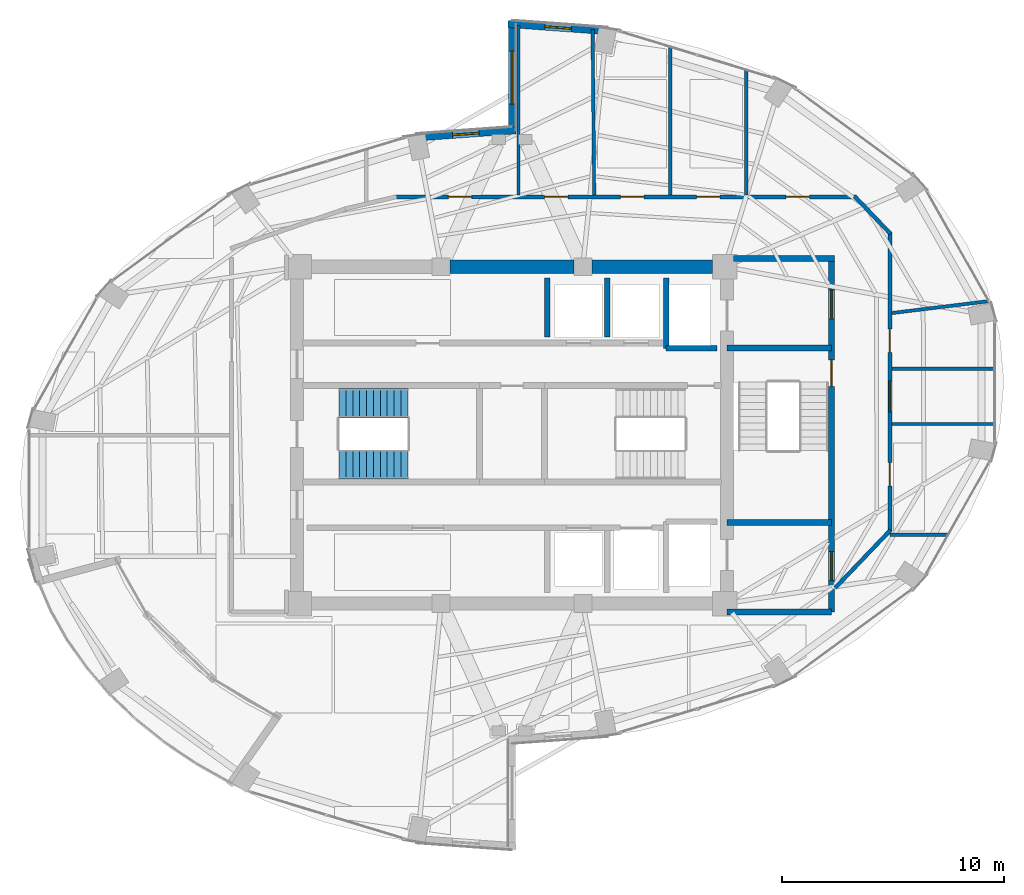
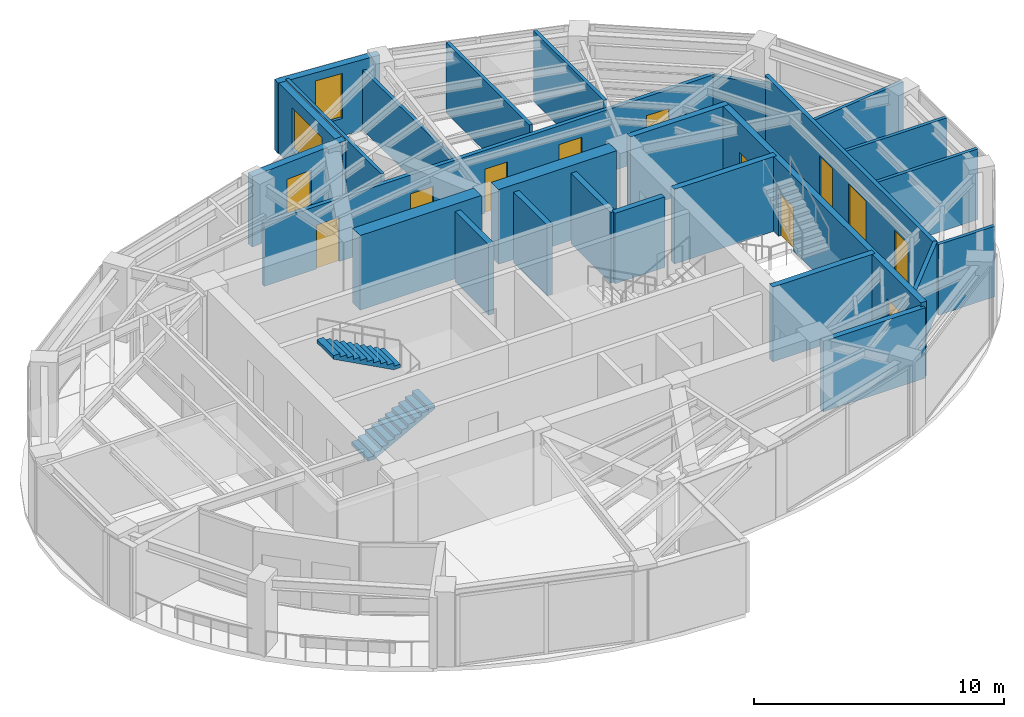
# One storey, part 18 of 21: 26 walls, 11 doors, 3 windows, 2 stair flights, 14 openings, 1 element without a shape of its own.
"""IFC4 building model written with IfcOpenShell, lengths in metres."""

from ifc_helpers import new_model, si_unit, direction, frame, frame_2d, origin, place, context, subcontext, project, spatial, polyline, rectangle, outline, extrude, material, layer, layer_set, type_object, element, fill, aggregate, save


model = new_model("IFC4")

# Units and contexts
model_context = context("Model", 3, precision=1e-05, world=origin(), true_north=direction((0.0, 1.0)))
body_context = subcontext(model_context, "Body", "Model", "MODEL_VIEW")
ifc_project = project(units=[si_unit("LENGTHUNIT", "METRE"), si_unit("AREAUNIT", "SQUARE_METRE"), si_unit("VOLUMEUNIT", "CUBIC_METRE"), si_unit("PLANEANGLEUNIT", "RADIAN"), si_unit("MASSUNIT", "GRAM", prefix="KILO")], contexts=[model_context])

# Site, building, storey
site_placement = place(None, origin())
site = spatial("IfcSite", under=ifc_project, at=site_placement, CompositionType="ELEMENT")
building_placement = place(site_placement, origin())
building = spatial("IfcBuilding", under=site, at=building_placement, Name="Lazwardi Medical Tower", CompositionType="ELEMENT")
storey_placement = place(building_placement, frame((0.0, 0.0, 216.719970703125)))
storey = spatial("IfcBuildingStorey", under=building, at=storey_placement, Name="L56", CompositionType="ELEMENT", Elevation=216.719970703125)

# Wall, openings, doors
ifc_material_1 = material(Name="Fire-rated gypsum board on steel stud", Category="steel")
ifc_layer_1 = layer(ifc_material_1, 0.179931640625)
ifc_layer_set_1 = layer_set([ifc_layer_1], Name="Fire-rated gypsum board on steel stud")
wall_type_1 = type_object("IfcWallType", Name="WL-COR-180", PredefinedType="PARTITIONING", material=ifc_layer_set_1)
wall_1_placement = place(storey_placement, frame((30.709716796875, 38.75, 0.0), z_axis=(0.0, 0.0, 1.0), x_axis=(1.0, 0.0, 0.0)))
wall_1 = element("IfcWall", 1, at=wall_1_placement, inside=storey, type_object=wall_type_1, Name="L56 Corridor partition 3", PredefinedType="PARTITIONING", context=body_context, shape_type="SweptSolid", body=[
    extrude(rectangle(XDim=20.8154296875, YDim=0.179931640625, at=frame_2d((10.40771484375, 0.0))), origin(), (0.0, 0.0, 1.0), 3.072998046875),
])
opening_1_placement = place(wall_1_placement, frame((17.65380859375, 0.0, 0.0)))
opening_1 = element("IfcOpeningElement", 2, at=opening_1_placement, cuts=wall_1, Name="Opening D-L56-012", PredefinedType="OPENING", context=body_context, shape_type="SweptSolid", body=[
    extrude(rectangle(XDim=1.050048828125, YDim=2.14990234375, at=frame_2d((0.52490234375, 1.074951171875))), frame((0.0, 0.099853515625, 0.0), z_axis=(0.0, -1.0, 0.0), x_axis=(1.0, 0.0, 0.0)), (0.0, 0.0, 1.0), 0.199951171875),
])
opening_2_placement = place(wall_1_placement, frame((13.6201171875, 0.0, 0.0)))
opening_2 = element("IfcOpeningElement", 3, at=opening_2_placement, cuts=wall_1, Name="Opening D-L56-013", PredefinedType="OPENING", context=body_context, shape_type="SweptSolid", body=[
    extrude(rectangle(XDim=1.050048828125, YDim=2.14990234375, at=frame_2d((0.52490234375, 1.074951171875))), frame((0.0, 0.099853515625, 0.0), z_axis=(0.0, -1.0, 0.0), x_axis=(1.0, 0.0, 0.0)), (0.0, 0.0, 1.0), 0.199951171875),
])
opening_3_placement = place(wall_1_placement, frame((10.189697265625, 0.0, 0.0)))
opening_3 = element("IfcOpeningElement", 4, at=opening_3_placement, cuts=wall_1, Name="Opening D-L56-014", PredefinedType="OPENING", context=body_context, shape_type="SweptSolid", body=[
    extrude(rectangle(XDim=1.050048828125, YDim=2.14990234375, at=frame_2d((0.52490234375, 1.074951171875))), frame((0.0, 0.099853515625, 0.0), z_axis=(0.0, -1.0, 0.0), x_axis=(1.0, 0.0, 0.0)), (0.0, 0.0, 1.0), 0.199951171875),
])
opening_4_placement = place(wall_1_placement, frame((6.764892578125, 0.0, 0.0)))
opening_4 = element("IfcOpeningElement", 5, at=opening_4_placement, cuts=wall_1, Name="Opening D-L56-015", PredefinedType="OPENING", context=body_context, shape_type="SweptSolid", body=[
    extrude(rectangle(XDim=1.050048828125, YDim=2.14990234375, at=frame_2d((0.52490234375, 1.074951171875))), frame((0.0, 0.099853515625, 0.0), z_axis=(0.0, -1.0, 0.0), x_axis=(1.0, 0.0, 0.0)), (0.0, 0.0, 1.0), 0.199951171875),
])
opening_5_placement = place(wall_1_placement, frame((2.424072265625, 0.0, 0.0)))
opening_5 = element("IfcOpeningElement", 6, at=opening_5_placement, cuts=wall_1, Name="Opening D-L56-016", PredefinedType="OPENING", context=body_context, shape_type="SweptSolid", body=[
    extrude(rectangle(XDim=1.050048828125, YDim=2.14990234375, at=frame_2d((0.52490234375, 1.074951171875))), frame((0.0, 0.099853515625, 0.0), z_axis=(0.0, -1.0, 0.0), x_axis=(1.0, 0.0, 0.0)), (0.0, 0.0, 1.0), 0.199951171875),
])
ifc_material_2 = material(Name="Anti-microbial laminate hospital leaf")
door_type_1 = type_object("IfcDoorType", Name="DR-CLN-1050", OperationType="NOTDEFINED", PredefinedType="DOOR", material=ifc_material_2)
door_1_placement = place(opening_1_placement, origin())
door_1 = element("IfcDoor", 7, at=door_1_placement, inside=storey, type_object=door_type_1, Name="L56 Outpatient Consultation Suite Door 05", OperationType="SINGLE_SWING_RIGHT", OverallHeight=2.14990234375, OverallWidth=1.050048828125, PredefinedType="DOOR", context=body_context, shape_type="SweptSolid", body=[
    extrude(rectangle(XDim=1.050048828125, YDim=2.14990234375, at=frame_2d((0.52490234375, 1.074951171875))), frame((0.0, 0.02490234375, 0.0), z_axis=(0.0, -1.0, 0.0), x_axis=(1.0, 0.0, 0.0)), (0.0, 0.0, 1.0), 0.050048828125),
])
fill(opening_1, door_1)
door_2_placement = place(opening_2_placement, origin())
door_2 = element("IfcDoor", 8, at=door_2_placement, inside=storey, type_object=door_type_1, Name="L56 Outpatient Consultation Suite Door 06", OperationType="SINGLE_SWING_LEFT", OverallHeight=2.14990234375, OverallWidth=1.050048828125, PredefinedType="DOOR", context=body_context, shape_type="SweptSolid", body=[
    extrude(rectangle(XDim=1.050048828125, YDim=2.14990234375, at=frame_2d((0.52490234375, 1.074951171875))), frame((0.0, 0.02490234375, 0.0), z_axis=(0.0, -1.0, 0.0), x_axis=(1.0, 0.0, 0.0)), (0.0, 0.0, 1.0), 0.050048828125),
])
fill(opening_2, door_2)
door_3_placement = place(opening_3_placement, origin())
door_3 = element("IfcDoor", 9, at=door_3_placement, inside=storey, type_object=door_type_1, Name="L56 Outpatient Consultation Suite Door 07", OperationType="SINGLE_SWING_RIGHT", OverallHeight=2.14990234375, OverallWidth=1.050048828125, PredefinedType="DOOR", context=body_context, shape_type="SweptSolid", body=[
    extrude(rectangle(XDim=1.050048828125, YDim=2.14990234375, at=frame_2d((0.52490234375, 1.074951171875))), frame((0.0, 0.02490234375, 0.0), z_axis=(0.0, -1.0, 0.0), x_axis=(1.0, 0.0, 0.0)), (0.0, 0.0, 1.0), 0.050048828125),
])
fill(opening_3, door_3)
door_4_placement = place(opening_4_placement, origin())
door_4 = element("IfcDoor", 10, at=door_4_placement, inside=storey, type_object=door_type_1, Name="L56 Outpatient Consultation Suite Door 08", OperationType="SINGLE_SWING_LEFT", OverallHeight=2.14990234375, OverallWidth=1.050048828125, PredefinedType="DOOR", context=body_context, shape_type="SweptSolid", body=[
    extrude(rectangle(XDim=1.050048828125, YDim=2.14990234375, at=frame_2d((0.52490234375, 1.074951171875))), frame((0.0, 0.02490234375, 0.0), z_axis=(0.0, -1.0, 0.0), x_axis=(1.0, 0.0, 0.0)), (0.0, 0.0, 1.0), 0.050048828125),
])
fill(opening_4, door_4)
door_5_placement = place(opening_5_placement, origin())
door_5 = element("IfcDoor", 11, at=door_5_placement, inside=storey, type_object=door_type_1, Name="L56 Outpatient Consultation Suite Door 09", OperationType="SINGLE_SWING_RIGHT", OverallHeight=2.14990234375, OverallWidth=1.050048828125, PredefinedType="DOOR", context=body_context, shape_type="SweptSolid", body=[
    extrude(rectangle(XDim=1.050048828125, YDim=2.14990234375, at=frame_2d((0.52490234375, 1.074951171875))), frame((0.0, 0.02490234375, 0.0), z_axis=(0.0, -1.0, 0.0), x_axis=(1.0, 0.0, 0.0)), (0.0, 0.0, 1.0), 0.050048828125),
])
fill(opening_5, door_5)

# Wall
wall_2_placement = place(storey_placement, frame((51.45751953125, 38.77880859375, 0.0), z_axis=(0.0, 0.0, 1.0), x_axis=(0.691359830363, -0.722510612352, 0.0)))
element("IfcWall", 12, at=wall_2_placement, inside=storey, type_object=wall_type_1, Name="L56 Corridor partition 4", PredefinedType="PARTITIONING", context=body_context, shape_type="SweptSolid", body=[
    extrude(rectangle(XDim=2.34326171875, YDim=0.179931640625, at=frame_2d((1.171630859375, 0.0))), origin(), (0.0, 0.0, 1.0), 3.032958984375),
])

# Wall, openings, doors
wall_3_placement = place(storey_placement, frame((53.050048828125, 37.154541015625, 0.0), z_axis=(0.0, 0.0, 1.0), x_axis=(0.0, -1.0, 0.0)))
wall_3 = element("IfcWall", 13, at=wall_3_placement, inside=storey, type_object=wall_type_1, Name="L56 Corridor partition 5", PredefinedType="PARTITIONING", context=body_context, shape_type="SweptSolid", body=[
    extrude(rectangle(XDim=13.509033203125, YDim=0.179931640625, at=frame_2d((6.75439453125, 0.0))), origin(), (0.0, 0.0, 1.0), 3.447998046875),
])
opening_6_placement = place(wall_3_placement, frame((10.397705078125, 0.0, 0.0)))
opening_6 = element("IfcOpeningElement", 14, at=opening_6_placement, cuts=wall_3, Name="Opening D-L56-009", PredefinedType="OPENING", context=body_context, shape_type="SweptSolid", body=[
    extrude(rectangle(XDim=1.050048828125, YDim=2.14990234375, at=frame_2d((0.52490234375, 1.074951171875))), frame((0.0, 0.099853515625, 0.0), z_axis=(0.0, -1.0, 0.0), x_axis=(1.0, 0.0, 0.0)), (0.0, 0.0, 1.0), 0.199951171875),
])
opening_7_placement = place(wall_3_placement, frame((6.70458984375, 0.0, 0.0)))
opening_7 = element("IfcOpeningElement", 15, at=opening_7_placement, cuts=wall_3, Name="Opening D-L56-010", PredefinedType="OPENING", context=body_context, shape_type="SweptSolid", body=[
    extrude(rectangle(XDim=1.39990234375, YDim=2.199951171875, at=frame_2d((0.699951171875, 1.10009765625))), frame((0.0, 0.099853515625, 0.0), z_axis=(0.0, -1.0, 0.0), x_axis=(1.0, 0.0, 0.0)), (0.0, 0.0, 1.0), 0.199951171875),
])
opening_8_placement = place(wall_3_placement, frame((4.374755859375, 0.0, 0.0)))
opening_8 = element("IfcOpeningElement", 16, at=opening_8_placement, cuts=wall_3, Name="Opening D-L56-011", PredefinedType="OPENING", context=body_context, shape_type="SweptSolid", body=[
    extrude(rectangle(XDim=1.050048828125, YDim=2.14990234375, at=frame_2d((0.52490234375, 1.074951171875))), frame((0.0, 0.099853515625, 0.0), z_axis=(0.0, -1.0, 0.0), x_axis=(1.0, 0.0, 0.0)), (0.0, 0.0, 1.0), 0.199951171875),
])
door_type_2 = type_object("IfcDoorType", Name="DR-BED-1400", OperationType="NOTDEFINED", PredefinedType="DOOR", material=ifc_material_2)
door_6_placement = place(opening_7_placement, origin())
door_6 = element("IfcDoor", 17, at=door_6_placement, inside=storey, type_object=door_type_2, Name="L56 Rehabilitation Gymnasium Door 03", OperationType="SINGLE_SWING_RIGHT", OverallHeight=2.199951171875, OverallWidth=1.39990234375, PredefinedType="DOOR", context=body_context, shape_type="SweptSolid", body=[
    extrude(rectangle(XDim=1.39990234375, YDim=2.199951171875, at=frame_2d((0.699951171875, 1.10009765625))), frame((0.0, 0.02490234375, 0.0), z_axis=(0.0, -1.0, 0.0), x_axis=(1.0, 0.0, 0.0)), (0.0, 0.0, 1.0), 0.050048828125),
])
fill(opening_7, door_6)
door_7_placement = place(opening_6_placement, origin())
door_7 = element("IfcDoor", 18, at=door_7_placement, inside=storey, type_object=door_type_1, Name="L56 Ward Dietetic Pantry Door 02", OperationType="SINGLE_SWING_LEFT", OverallHeight=2.14990234375, OverallWidth=1.050048828125, PredefinedType="DOOR", context=body_context, shape_type="SweptSolid", body=[
    extrude(rectangle(XDim=1.050048828125, YDim=2.14990234375, at=frame_2d((0.52490234375, 1.074951171875))), frame((0.0, 0.02490234375, 0.0), z_axis=(0.0, -1.0, 0.0), x_axis=(1.0, 0.0, 0.0)), (0.0, 0.0, 1.0), 0.050048828125),
])
fill(opening_6, door_7)
door_8_placement = place(opening_8_placement, origin())
door_8 = element("IfcDoor", 19, at=door_8_placement, inside=storey, type_object=door_type_1, Name="L56 Clinical Specialist Office Door 04", OperationType="SINGLE_SWING_LEFT", OverallHeight=2.14990234375, OverallWidth=1.050048828125, PredefinedType="DOOR", context=body_context, shape_type="SweptSolid", body=[
    extrude(rectangle(XDim=1.050048828125, YDim=2.14990234375, at=frame_2d((0.52490234375, 1.074951171875))), frame((0.0, 0.02490234375, 0.0), z_axis=(0.0, -1.0, 0.0), x_axis=(1.0, 0.0, 0.0)), (0.0, 0.0, 1.0), 0.050048828125),
])
fill(opening_8, door_8)

# Walls
wall_4_placement = place(storey_placement, frame((53.07763671875, 23.71435546875, 0.0), z_axis=(0.0, 0.0, 1.0), x_axis=(-0.691353379446, -0.722516785085, 0.0)))
element("IfcWall", 20, at=wall_4_placement, inside=storey, type_object=wall_type_1, Name="L56 Corridor partition 6", PredefinedType="PARTITIONING", context=body_context, shape_type="SweptSolid", body=[
    extrude(rectangle(XDim=3.603759765625, YDim=0.179931640625, at=frame_2d((1.8017578125, 0.0))), origin(), (0.0, 0.0, 1.0), 3.447998046875),
])
ifc_material_3 = material(Name="Concrete C60/75", Category="concrete")
ifc_layer_2 = layer(ifc_material_3, 0.60009765625)
ifc_layer_set_2 = layer_set([ifc_layer_2], Name="Concrete C60/75")
wall_type_2 = type_object("IfcWallType", Name="WL-CORE-600", PredefinedType="SHEAR", material=ifc_layer_set_2)
wall_5_placement = place(storey_placement, frame((33.199951171875, 35.60009765625, 0.0), z_axis=(0.0, 0.0, 1.0), x_axis=(1.0, 0.0, 0.0)))
element("IfcWall", 21, at=wall_5_placement, inside=storey, type_object=wall_type_2, Name="Core wall CW-S3 N2 L56", PredefinedType="SHEAR", context=body_context, shape_type="SweptSolid", body=[
    extrude(rectangle(XDim=5.60009765625, YDim=0.60009765625, at=frame_2d((2.800048828125, 0.0))), origin(), (0.0, 0.0, 1.0), 3.64794921875),
])
wall_6_placement = place(storey_placement, frame((39.60009765625, 35.60009765625, 0.0), z_axis=(0.0, 0.0, 1.0), x_axis=(1.0, 0.0, 0.0)))
element("IfcWall", 22, at=wall_6_placement, inside=storey, type_object=wall_type_2, Name="Core wall CW-S3 N3 L56", PredefinedType="SHEAR", context=body_context, shape_type="SweptSolid", body=[
    extrude(rectangle(XDim=5.449951171875, YDim=0.60009765625, at=frame_2d((2.72509765625, 0.0))), origin(), (0.0, 0.0, 1.0), 3.64794921875),
])

# Wall, opening, window
ifc_material_4 = material(Name="Precast concrete C45/55", Category="concrete")
ifc_layer_3 = layer(ifc_material_4, 0.320068359375)
ifc_layer_set_3 = layer_set([ifc_layer_3], Name="Precast concrete C45/55")
wall_type_3 = type_object("IfcWallType", Name="WL-IWAN-320", PredefinedType="SOLIDWALL", material=ifc_layer_set_3)
wall_7_placement = place(storey_placement, frame((40.349609375, 46.226318359375, 0.0), z_axis=(0.0, 0.0, 1.0), x_axis=(-0.997409061056, 0.071938619141, 0.0)))
wall_7 = element("IfcWall", 23, at=wall_7_placement, inside=storey, type_object=wall_type_3, Name="L56 Iwan Portal Return Wall NE_ret", PredefinedType="SOLIDWALL", context=body_context, shape_type="SweptSolid", body=[
    extrude(rectangle(XDim=4.540771484375, YDim=0.320068359375, at=frame_2d((2.2705078125, 0.0))), origin(), (0.0, 0.0, 1.0), 3.447998046875),
])
opening_9_placement = place(wall_7_placement, frame((1.67041015625, 0.0, 0.85009765625)))
opening_9 = element("IfcOpeningElement", 24, at=opening_9_placement, cuts=wall_7, Name="Opening WN-01", PredefinedType="OPENING", context=body_context, shape_type="SweptSolid", body=[
    extrude(rectangle(XDim=1.199951171875, YDim=2.199951171875, at=frame_2d((0.60009765625, 1.10009765625))), frame((0.0, 0.169921875, 0.0), z_axis=(0.0, -1.0, 0.0), x_axis=(1.0, 0.0, 0.0)), (0.0, 0.0, 1.0), 0.340087890625),
])
ifc_material_5 = material(Name="Low-e bronze solar control double glazing", Category="glass")
window_type_1 = type_object("IfcWindowType", Name="WIN-IW-1200", PartitioningType="SINGLE_PANEL", PredefinedType="WINDOW", material=ifc_material_5)
window_1_placement = place(opening_9_placement, origin())
window_1 = element("IfcWindow", 25, at=window_1_placement, inside=storey, type_object=window_type_1, Name="L56 Iwan Slot Window NE_ret", OverallHeight=2.199951171875, OverallWidth=1.199951171875, PartitioningType="SINGLE_PANEL", PredefinedType="WINDOW", context=body_context, shape_type="SweptSolid", body=[
    extrude(rectangle(XDim=1.199951171875, YDim=2.199951171875, at=frame_2d((0.60009765625, 1.10009765625))), frame((0.0, 0.030029296875, 0.0), z_axis=(0.0, -1.0, 0.0), x_axis=(1.0, 0.0, 0.0)), (0.0, 0.0, 1.0), 0.06005859375),
])
fill(opening_9, window_1)

wall_8_placement = place(storey_placement, frame((36.17919921875, 41.7529296875, 0.0), z_axis=(0.0, 0.0, 1.0), x_axis=(-0.997408782787, -0.071942477163, 0.0)))
wall_8 = element("IfcWall", 26, at=wall_8_placement, inside=storey, type_object=wall_type_3, Name="L56 Iwan Portal Return Wall NW_ret", PredefinedType="SOLIDWALL", context=body_context, shape_type="SweptSolid", body=[
    extrude(rectangle(XDim=4.54052734375, YDim=0.320068359375, at=frame_2d((2.270263671875, 0.0))), origin(), (0.0, 0.0, 1.0), 3.447998046875),
])
opening_10_placement = place(wall_8_placement, frame((1.67041015625, 0.0, 0.85009765625)))
opening_10 = element("IfcOpeningElement", 27, at=opening_10_placement, cuts=wall_8, Name="Opening WN-04", PredefinedType="OPENING", context=body_context, shape_type="SweptSolid", body=[
    extrude(rectangle(XDim=1.199951171875, YDim=1.800048828125, at=frame_2d((0.60009765625, 0.89990234375))), frame((0.0, 0.169921875, 0.0), z_axis=(0.0, -1.0, 0.0), x_axis=(1.0, 0.0, 0.0)), (0.0, 0.0, 1.0), 0.340087890625),
])
window_type_2 = type_object("IfcWindowType", Name="WIN-DRUM-1200", PartitioningType="SINGLE_PANEL", PredefinedType="WINDOW", material=ifc_material_5)
window_2_placement = place(opening_10_placement, origin())
window_2 = element("IfcWindow", 28, at=window_2_placement, inside=storey, type_object=window_type_2, Name="L56 Iwan Slot Window NW_ret", OverallHeight=1.800048828125, OverallWidth=1.199951171875, PartitioningType="SINGLE_PANEL", PredefinedType="WINDOW", context=body_context, shape_type="SweptSolid", body=[
    extrude(rectangle(XDim=1.199951171875, YDim=1.800048828125, at=frame_2d((0.60009765625, 0.89990234375))), frame((0.0, 0.030029296875, 0.0), z_axis=(0.0, -1.0, 0.0), x_axis=(1.0, 0.0, 0.0)), (0.0, 0.0, 1.0), 0.06005859375),
])
fill(opening_10, window_2)

wall_9_placement = place(storey_placement, frame((36.0, 46.699951171875, 0.0), z_axis=(0.0, 0.0, 1.0), x_axis=(0.0, -1.0, 0.0)))
wall_9 = element("IfcWall", 29, at=wall_9_placement, inside=storey, type_object=wall_type_3, Name="L56 Turquoise Tilework Iwan Seam Wall N_seam", PredefinedType="SOLIDWALL", context=body_context, shape_type="SweptSolid", body=[
    extrude(rectangle(XDim=5.119873046875, YDim=0.320068359375, at=frame_2d((2.56005859375, 0.0))), origin(), (0.0, 0.0, 1.0), 3.447998046875),
])
opening_11_placement = place(wall_9_placement, frame((1.360107421875, 0.0, 0.840087890625)))
opening_11 = element("IfcOpeningElement", 30, at=opening_11_placement, cuts=wall_9, Name="Opening WN-02", PredefinedType="OPENING", context=body_context, shape_type="SweptSolid", body=[
    extrude(rectangle(XDim=2.39990234375, YDim=2.0400390625, at=frame_2d((1.199951171875, 1.02001953125))), frame((0.0, 0.169921875, 0.0), z_axis=(0.0, -1.0, 0.0), x_axis=(1.0, 0.0, 0.0)), (0.0, 0.0, 1.0), 0.340087890625),
])
window_type_3 = type_object("IfcWindowType", Name="WIN-IW-2400", PartitioningType="SINGLE_PANEL", PredefinedType="WINDOW", material=ifc_material_5)
window_3_placement = place(opening_11_placement, origin())
window_3 = element("IfcWindow", 31, at=window_3_placement, inside=storey, type_object=window_type_3, Name="L56 Iwan Seam Window N_seam", OverallHeight=2.0400390625, OverallWidth=2.39990234375, PartitioningType="SINGLE_PANEL", PredefinedType="WINDOW", context=body_context, shape_type="SweptSolid", body=[
    extrude(rectangle(XDim=2.39990234375, YDim=2.0400390625, at=frame_2d((1.199951171875, 1.02001953125))), frame((0.0, 0.030029296875, 0.0), z_axis=(0.0, -1.0, 0.0), x_axis=(1.0, 0.0, 0.0)), (0.0, 0.0, 1.0), 0.06005859375),
])
fill(opening_11, window_3)

# Walls
ifc_material_6 = material(Name="Autoclaved aerated concrete blockwork", Category="masonry")
ifc_layer_4 = layer(ifc_material_6, 0.25)
ifc_layer_set_4 = layer_set([ifc_layer_4], Name="Autoclaved aerated concrete blockwork")
wall_type_4 = type_object("IfcWallType", Name="WL-SHAFT-250", PredefinedType="SOLIDWALL", material=ifc_layer_set_4)
wall_10_placement = place(storey_placement, frame((42.949951171875, 31.919921875, 0.0), z_axis=(0.0, 0.0, 1.0), x_axis=(0.0, 1.0, 0.0)))
element("IfcWall", 32, at=wall_10_placement, inside=storey, type_object=wall_type_4, Name="L56 FL-01 West shaft wall", PredefinedType="SOLIDWALL", context=body_context, shape_type="SweptSolid", body=[
    extrude(rectangle(XDim=3.18017578125, YDim=0.25, at=frame_2d((1.590087890625, 0.0))), origin(), (0.0, 0.0, 1.0), 3.447998046875),
])
wall_11_placement = place(storey_placement, frame((42.949951171875, 31.919921875, 0.0), z_axis=(0.0, 0.0, 1.0), x_axis=(1.0, 0.0, 0.0)))
element("IfcWall", 33, at=wall_11_placement, inside=storey, type_object=wall_type_4, Name="L56 FL-01 South shaft wall", PredefinedType="SOLIDWALL", context=body_context, shape_type="SweptSolid", body=[
    extrude(rectangle(XDim=2.300048828125, YDim=0.25, at=frame_2d((1.14990234375, 0.0))), origin(), (0.0, 0.0, 1.0), 3.447998046875),
])
for number, where, z_axis, x_axis, name in (
    (34, (37.60009765625, 32.419921875, 0.0), (0.0, 0.0, 1.0), (0.0, 1.0, 0.0), "L56 North hoistway divider"),
    (35, (40.300048828125, 32.419921875, 0.0), (0.0, 0.0, 1.0), (0.0, 1.0, 0.0), "L56 North hoistway divider"),
):
    element("IfcWall", number, at=place(storey_placement, frame(where, z_axis=z_axis, x_axis=x_axis)), inside=storey, type_object=wall_type_4, Name=name, PredefinedType="SOLIDWALL", context=body_context, shape_type="SweptSolid", body=[
        extrude(rectangle(XDim=2.68017578125, YDim=0.25, at=frame_2d((1.340087890625, 0.0))), origin(), (0.0, 0.0, 1.0), 3.447998046875),
    ])
wall_12_placement = place(storey_placement, frame((45.699951171875, 20.02001953125, 0.0), z_axis=(0.0, 0.0, 1.0), x_axis=(1.0, 0.0, 0.0)))
element("IfcWall", 36, at=wall_12_placement, inside=storey, type_object=wall_type_4, Name="L56 FFL-S South wall", PredefinedType="SOLIDWALL", context=body_context, shape_type="SweptSolid", body=[
    extrude(rectangle(XDim=4.715087890625, YDim=0.25, at=frame_2d((2.357421875, 0.0))), origin(), (0.0, 0.0, 1.0), 3.447998046875),
])

# Wall, openings, doors
ifc_material_7 = material(Name="Concrete C50/60", Category="concrete")
ifc_layer_5 = layer(ifc_material_7, 0.27001953125)
ifc_layer_set_5 = layer_set([ifc_layer_5], Name="Concrete C50/60")
wall_type_5 = type_object("IfcWallType", Name="WL-STR-250", PredefinedType="SHEAR", material=ifc_layer_set_5)
wall_13_placement = place(storey_placement, frame((50.4150390625, 35.844970703125, 0.0), z_axis=(0.0, 0.0, 1.0), x_axis=(0.0, -1.0, 0.0)))
wall_13 = element("IfcWall", 37, at=wall_13_placement, inside=storey, type_object=wall_type_5, Name="L56 East ST3 & FFL shear wall SW-S1", PredefinedType="SHEAR", context=body_context, shape_type="SweptSolid", body=[
    extrude(rectangle(XDim=15.824951171875, YDim=0.27001953125, at=frame_2d((7.91259765625, 0.0))), origin(), (0.0, 0.0, 1.0), 3.64794921875),
])
opening_12_placement = place(wall_13_placement, frame((4.445068359375, 0.0, 0.0)))
opening_12 = element("IfcOpeningElement", 38, at=opening_12_placement, cuts=wall_13, Name="Opening D-L56-020", PredefinedType="OPENING", context=body_context, shape_type="SweptSolid", body=[
    extrude(rectangle(XDim=1.199951171875, YDim=2.14990234375, at=frame_2d((0.60009765625, 1.074951171875))), frame((0.0, 0.14501953125, 0.0), z_axis=(0.0, -1.0, 0.0), x_axis=(1.0, 0.0, 0.0)), (0.0, 0.0, 1.0), 0.2900390625),
])
opening_13_placement = place(wall_13_placement, frame((1.294921875, 0.0, 0.0)))
opening_13 = element("IfcOpeningElement", 39, at=opening_13_placement, cuts=wall_13, Name="Opening D-L56-004", PredefinedType="OPENING", context=body_context, shape_type="SweptSolid", body=[
    extrude(rectangle(XDim=1.300048828125, YDim=2.199951171875, at=frame_2d((0.64990234375, 1.10009765625))), frame((0.0, 0.14501953125, 0.0), z_axis=(0.0, -1.0, 0.0), x_axis=(1.0, 0.0, 0.0)), (0.0, 0.0, 1.0), 0.2900390625),
])
opening_14_placement = place(wall_13_placement, frame((13.094970703125, 0.0, 0.0)))
opening_14 = element("IfcOpeningElement", 40, at=opening_14_placement, cuts=wall_13, Name="Opening D-L56-005", PredefinedType="OPENING", context=body_context, shape_type="SweptSolid", body=[
    extrude(rectangle(XDim=1.300048828125, YDim=2.199951171875, at=frame_2d((0.64990234375, 1.10009765625))), frame((0.0, 0.14501953125, 0.0), z_axis=(0.0, -1.0, 0.0), x_axis=(1.0, 0.0, 0.0)), (0.0, 0.0, 1.0), 0.2900390625),
])
ifc_material_8 = material(Name="Fire-rated steel leaf and frame", Category="steel")
door_type_3 = type_object("IfcDoorType", Name="DR-FFL-1300", OperationType="NOTDEFINED", PredefinedType="DOOR", material=ifc_material_8)
door_9_placement = place(opening_13_placement, origin())
door_9 = element("IfcDoor", 41, at=door_9_placement, inside=storey, type_object=door_type_3, Name="L56 Fire-Fighting Lobby North Door", OperationType="SINGLE_SWING_RIGHT", OverallHeight=2.199951171875, OverallWidth=1.300048828125, PredefinedType="DOOR", context=body_context, shape_type="SweptSolid", body=[
    extrude(rectangle(XDim=1.300048828125, YDim=2.199951171875, at=frame_2d((0.64990234375, 1.10009765625))), frame((0.0, 0.02490234375, 0.0), z_axis=(0.0, -1.0, 0.0), x_axis=(1.0, 0.0, 0.0)), (0.0, 0.0, 1.0), 0.050048828125),
])
fill(opening_13, door_9)
door_10_placement = place(opening_14_placement, origin())
door_10 = element("IfcDoor", 42, at=door_10_placement, inside=storey, type_object=door_type_3, Name="L56 Fire-Fighting Lobby South Door", OperationType="SINGLE_SWING_LEFT", OverallHeight=2.199951171875, OverallWidth=1.300048828125, PredefinedType="DOOR", context=body_context, shape_type="SweptSolid", body=[
    extrude(rectangle(XDim=1.300048828125, YDim=2.199951171875, at=frame_2d((0.64990234375, 1.10009765625))), frame((0.0, 0.02490234375, 0.0), z_axis=(0.0, -1.0, 0.0), x_axis=(1.0, 0.0, 0.0)), (0.0, 0.0, 1.0), 0.050048828125),
])
fill(opening_14, door_10)
door_type_4 = type_object("IfcDoorType", Name="DR-STR-1200", OperationType="NOTDEFINED", PredefinedType="DOOR", material=ifc_material_8)
door_11_placement = place(opening_12_placement, origin())
door_11 = element("IfcDoor", 43, at=door_11_placement, inside=storey, type_object=door_type_4, Name="L56 Exit Stair ST3 Door", OperationType="SINGLE_SWING_LEFT", OverallHeight=2.14990234375, OverallWidth=1.199951171875, PredefinedType="DOOR", context=body_context, shape_type="SweptSolid", body=[
    extrude(rectangle(XDim=1.199951171875, YDim=2.14990234375, at=frame_2d((0.60009765625, 1.074951171875))), frame((0.0, 0.02490234375, 0.0), z_axis=(0.0, -1.0, 0.0), x_axis=(1.0, 0.0, 0.0)), (0.0, 0.0, 1.0), 0.050048828125),
])
fill(opening_12, door_11)

# Walls
wall_14_placement = place(storey_placement, frame((46.0, 35.97998046875, 0.0), z_axis=(0.0, 0.0, 1.0), x_axis=(1.0, 0.0, 0.0)))
element("IfcWall", 44, at=wall_14_placement, inside=storey, type_object=wall_type_5, Name="L56 FFL-N North shear wall SW-S1", PredefinedType="SHEAR", context=body_context, shape_type="SweptSolid", body=[
    extrude(rectangle(XDim=4.550048828125, YDim=0.27001953125, at=frame_2d((2.27490234375, 0.0))), origin(), (0.0, 0.0, 1.0), 3.64794921875),
])
for number, where, z_axis, x_axis, name in (
    (45, (45.699951171875, 31.93505859375, 0.0), (0.0, 0.0, 1.0), (1.0, 0.0, 0.0), "L56 ST3 North shear shaft wall SW-S1"),
    (46, (45.699951171875, 24.06494140625, 0.0), (0.0, 0.0, 1.0), (1.0, 0.0, 0.0), "L56 ST3 South shear shaft wall SW-S1"),
):
    element("IfcWall", number, at=place(storey_placement, frame(where, z_axis=z_axis, x_axis=x_axis)), inside=storey, type_object=wall_type_5, Name=name, PredefinedType="SHEAR", context=body_context, shape_type="SweptSolid", body=[
        extrude(rectangle(XDim=4.715087890625, YDim=0.27001953125, at=frame_2d((2.357421875, 0.0))), origin(), (0.0, 0.0, 1.0), 3.64794921875),
    ])
ifc_material_9 = material(Name="Acoustic gypsum board partition")
ifc_layer_6 = layer(ifc_material_9, 0.14990234375)
ifc_layer_set_6 = layer_set([ifc_layer_6], Name="Acoustic gypsum board partition")
wall_type_6 = type_object("IfcWallType", Name="WL-WRD-150", PredefinedType="PARTITIONING", material=ifc_layer_set_6)
wall_15_placement = place(storey_placement, frame((53.05859375, 23.5, 0.0), z_axis=(0.0, 0.0, 1.0), x_axis=(1.0, 0.0, 0.0)))
element("IfcWall", 47, at=wall_15_placement, inside=storey, type_object=wall_type_6, Name="L56 Room partition 2", PredefinedType="PARTITIONING", context=body_context, shape_type="SweptSolid", body=[
    extrude(rectangle(XDim=2.611572265625, YDim=0.14990234375, at=frame_2d((1.3056640625, 0.0))), origin(), (0.0, 0.0, 1.0), 3.447998046875),
])
for number, where, z_axis, x_axis, name in (
    (48, (53.139892578125, 28.5, 0.0), (0.0, 0.0, 1.0), (1.0, 0.0, 0.0), "L56 Room partition 3"),
    (49, (53.139892578125, 31.0, 0.0), (0.0, 0.0, 1.0), (1.0, 0.0, 0.0), "L56 Room partition 4"),
):
    element("IfcWall", number, at=place(storey_placement, frame(where, z_axis=z_axis, x_axis=x_axis)), inside=storey, type_object=wall_type_6, Name=name, PredefinedType="PARTITIONING", context=body_context, shape_type="SweptSolid", body=[
        extrude(rectangle(XDim=4.6318359375, YDim=0.14990234375, at=frame_2d((2.31591796875, 0.0))), origin(), (0.0, 0.0, 1.0), 3.447998046875),
    ])
wall_16_placement = place(storey_placement, frame((53.139404296875, 33.509033203125, 0.0), z_axis=(0.0, 0.0, 1.0), x_axis=(0.992571001818, 0.121666784083, 0.0)))
element("IfcWall", 50, at=wall_16_placement, inside=storey, type_object=wall_type_6, Name="L56 Room partition 5", PredefinedType="PARTITIONING", context=body_context, shape_type="SweptSolid", body=[
    extrude(rectangle(XDim=4.41650390625, YDim=0.14990234375, at=frame_2d((2.208251953125, 0.0))), origin(), (0.0, 0.0, 1.0), 3.447998046875),
])
wall_17_placement = place(storey_placement, frame((36.2900390625, 38.840087890625, 0.0), z_axis=(0.0, 0.0, 1.0), x_axis=(0.0, 1.0, 0.0)))
element("IfcWall", 51, at=wall_17_placement, inside=storey, type_object=wall_type_6, Name="L56 Room partition 7", PredefinedType="PARTITIONING", context=body_context, shape_type="SweptSolid", body=[
    extrude(rectangle(XDim=7.647216796875, YDim=0.14990234375, at=frame_2d((3.82373046875, 0.0))), origin(), (0.0, 0.0, 1.0), 3.447998046875),
])
wall_18_placement = place(storey_placement, frame((39.709228515625, 38.840087890625, 0.0), z_axis=(0.0, 0.0, 1.0), x_axis=(-0.009590393625, 0.999954011118, 0.0)))
element("IfcWall", 52, at=wall_18_placement, inside=storey, type_object=wall_type_6, Name="L56 Room partition 8", PredefinedType="PARTITIONING", context=body_context, shape_type="SweptSolid", body=[
    extrude(rectangle(XDim=7.458740234375, YDim=0.14990234375, at=frame_2d((3.7294921875, 0.0))), origin(), (0.0, 0.0, 1.0), 2.93310546875),
])
wall_19_placement = place(storey_placement, frame((43.139892578125, 38.840087890625, 0.0), z_axis=(0.0, 0.0, 1.0), x_axis=(0.0, 1.0, 0.0)))
element("IfcWall", 53, at=wall_19_placement, inside=storey, type_object=wall_type_6, Name="L56 Room partition 9", PredefinedType="PARTITIONING", context=body_context, shape_type="SweptSolid", body=[
    extrude(rectangle(XDim=6.66162109375, YDim=0.14990234375, at=frame_2d((3.330810546875, 0.0))), origin(), (0.0, 0.0, 1.0), 3.447998046875),
])
wall_20_placement = place(storey_placement, frame((46.570068359375, 38.840087890625, 0.0), z_axis=(0.0, 0.0, 1.0), x_axis=(0.0, 1.0, 0.0)))
element("IfcWall", 54, at=wall_20_placement, inside=storey, type_object=wall_type_6, Name="L56 Room partition 10", PredefinedType="PARTITIONING", context=body_context, shape_type="SweptSolid", body=[
    extrude(rectangle(XDim=5.6201171875, YDim=0.14990234375, at=frame_2d((2.81005859375, 0.0))), origin(), (0.0, 0.0, 1.0), 3.447998046875),
])

# Stair, stair flights
ifc_material_10 = material(Name="Concrete C45/55", Category="concrete")
stair_type = type_object("IfcStairType", Name="STR-WRD", PredefinedType="HALF_TURN_STAIR", material=ifc_material_10)
stair_placement = place(storey_placement, origin())
stair = element("IfcStair", 55, at=stair_placement, inside=storey, type_object=stair_type, Name="L56 Protected Exit Stair ST1", PredefinedType="HALF_TURN_STAIR")
stair_flight_type = type_object("IfcStairFlightType", Name="FLT-WRD", PredefinedType="STRAIGHT", material=ifc_material_10)
stair_flight_1_placement = place(storey_placement, frame((28.199951171875, 26.679931640625, 0.0), z_axis=(0.0, 0.0, 1.0), x_axis=(1.0, 0.0, 0.0)))
stair_flight_1 = element("IfcStairFlight", 56, at=stair_flight_1_placement, type_object=stair_flight_type, Name="ST1 flight 1", NumberOfRisers=11, NumberOfTreads=10, PredefinedType="STRAIGHT", RiserHeight=0.165818182, TreadLength=0.31, context=body_context, shape_type="SweptSolid", body=[
    extrude(outline(polyline([(0.0, 0.0), (0.0, 0.165771484375), (0.31005859375, 0.165771484375), (0.31005859375, 0.33154296875), (0.6201171875, 0.33154296875), (0.6201171875, 0.49755859375), (0.929931640625, 0.49755859375), (0.929931640625, 0.663330078125), (1.239990234375, 0.663330078125), (1.239990234375, 0.8291015625), (1.550048828125, 0.8291015625), (1.550048828125, 0.994873046875), (1.860107421875, 0.994873046875), (1.860107421875, 1.16064453125), (2.169921875, 1.16064453125), (2.169921875, 1.32666015625), (2.47998046875, 1.32666015625), (2.47998046875, 1.492431640625), (2.7900390625, 1.492431640625), (2.7900390625, 1.658203125), (3.10009765625, 1.658203125), (3.10009765625, 1.823974609375), (3.10009765625, 1.48828125), (0.31787109375, 0.0), (0.0, 0.0)])), frame((0.0, 0.66015625, 0.0), z_axis=(0.0, -1.0, 0.0), x_axis=(1.0, 0.0, 0.0)), (0.0, 0.0, 1.0), 1.320068359375),
])
stair_flight_2_placement = place(storey_placement, frame((31.300048828125, 29.43994140625, 1.823974609375), z_axis=(0.0, 0.0, 1.0), x_axis=(-1.0, 0.0, 0.0)))
stair_flight_2 = element("IfcStairFlight", 57, at=stair_flight_2_placement, type_object=stair_flight_type, Name="ST1 flight 2", NumberOfRisers=11, NumberOfTreads=10, PredefinedType="STRAIGHT", RiserHeight=0.165818182, TreadLength=0.31, context=body_context, shape_type="SweptSolid", body=[
    extrude(outline(polyline([(0.0, 0.0), (0.0, 0.165771484375), (0.31005859375, 0.165771484375), (0.31005859375, 0.33154296875), (0.6201171875, 0.33154296875), (0.6201171875, 0.49755859375), (0.929931640625, 0.49755859375), (0.929931640625, 0.663330078125), (1.239990234375, 0.663330078125), (1.239990234375, 0.8291015625), (1.550048828125, 0.8291015625), (1.550048828125, 0.994873046875), (1.860107421875, 0.994873046875), (1.860107421875, 1.16064453125), (2.169921875, 1.16064453125), (2.169921875, 1.32666015625), (2.47998046875, 1.32666015625), (2.47998046875, 1.492431640625), (2.7900390625, 1.492431640625), (2.7900390625, 1.658203125), (3.10009765625, 1.658203125), (3.10009765625, 1.823974609375), (3.10009765625, 1.48828125), (0.31787109375, 0.0), (0.0, 0.0)])), frame((0.0, 0.66015625, 0.0), z_axis=(0.0, -1.0, 0.0), x_axis=(1.0, 0.0, 0.0)), (0.0, 0.0, 1.0), 1.320068359375),
])
aggregate(stair, [stair_flight_1, stair_flight_2])

save(model, "model.ifc")
